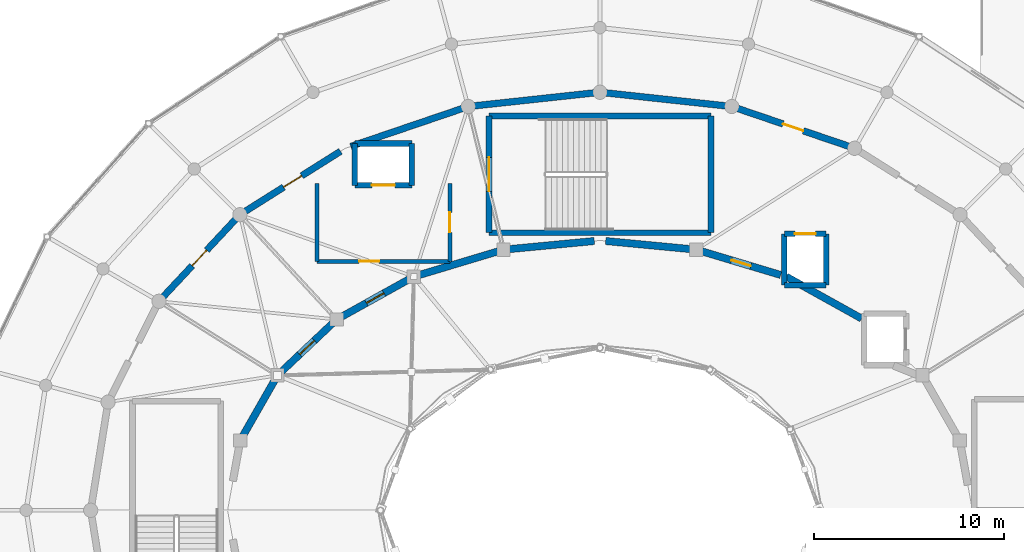
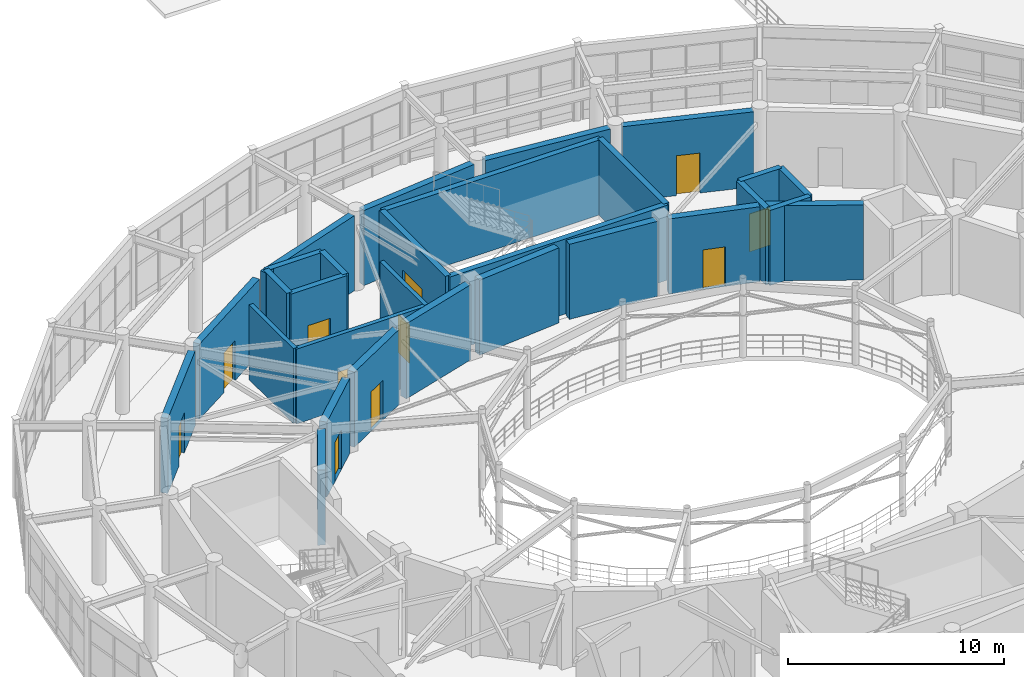
# One storey, part 41 of 60: 29 walls, 11 doors, 11 openings.
"""IFC4 building model written with IfcOpenShell, lengths in metres."""

import ifcopenshell
import ifcopenshell.guid

model = None  # the IFC model being written
_history = None  # IfcOwnerHistory: only IFC2X3 demands one
_inside = {}  # id of a spatial element -> (the spatial element, [elements in it])
_under = {}  # id of a project, library or spatial element -> (it, [spatial elements below it])
_declared = {}  # id of a project -> (the project, [libraries it declares])
_typed = {}  # id of a type object -> (the type object, [elements of that type])
_made_of = {}  # id of a material, layer set ... -> (it, [elements and type objects made of it])


def new_model(schema):
    """Start an empty IFC model of exactly this schema.

    Asked for "IFC4X3", IfcOpenShell would pick the latest addendum, in which some entities
    have other attributes; the version numbers below select the first issue.
    IFC2X3 requires an IfcOwnerHistory on every rooted entity: one is made here for all.
    """
    global model, _history
    if schema == "IFC4X3":
        model = ifcopenshell.file(schema_version=(4, 3, 0, 0))
    else:
        model = ifcopenshell.file(schema=schema)
    _inside.clear()
    _under.clear()
    _declared.clear()
    _typed.clear()
    _made_of.clear()
    _history = None
    if model.schema == "IFC2X3":
        org = make("IfcOrganization", Name="unknown")
        user = make(
            "IfcPersonAndOrganization",
            ThePerson=make("IfcPerson", FamilyName="unknown"),
            TheOrganization=org,
        )
        app = make(
            "IfcApplication",
            ApplicationDeveloper=org,
            Version="unknown",
            ApplicationFullName="unknown",
            ApplicationIdentifier="unknown",
        )
        _history = make(
            "IfcOwnerHistory",
            OwningUser=user,
            OwningApplication=app,
            ChangeAction="ADDED",
            CreationDate=0,
        )
    return model


def make(cls, **values):
    """One entity of the class cls with the attributes given. An attribute that is None is left unset."""
    return model.create_entity(
        cls, **{name: value for name, value in values.items() if value is not None}
    )


def rooted(cls, **values):
    """An entity with a GlobalId (a new one), such as an element, a storey or a relation."""
    return make(cls, GlobalId=ifcopenshell.guid.new(), OwnerHistory=_history, **values)


def si_unit(unit_type, name, prefix=None):
    """IfcSIUnit, for example si_unit("LENGTHUNIT", "METRE", prefix="MILLI")."""
    return make("IfcSIUnit", UnitType=unit_type, Prefix=prefix, Name=name)


def assignment(units):
    """IfcUnitAssignment: the units of a project."""
    return None if units is None else make("IfcUnitAssignment", Units=units)


def point(xyz):
    """IfcCartesianPoint."""
    return None if xyz is None else make("IfcCartesianPoint", Coordinates=xyz)


def direction(xyz):
    """IfcDirection."""
    return None if xyz is None else make("IfcDirection", DirectionRatios=xyz)


def frame(location, z_axis=None, x_axis=None):
    """IfcAxis2Placement3D, a coordinate frame: its origin and axes. An axis left out is left unset."""
    return make(
        "IfcAxis2Placement3D",
        Location=point(location),
        Axis=direction(z_axis),
        RefDirection=direction(x_axis),
    )


def frame_2d(location, x_axis=None):
    """IfcAxis2Placement2D, a coordinate frame in the plane: its origin and x axis."""
    return make(
        "IfcAxis2Placement2D", Location=point(location), RefDirection=direction(x_axis)
    )


def origin():
    """The frame at (0, 0, 0) with its axes left unset."""
    return frame((0.0, 0.0, 0.0))


def place(relative_to, where):
    """IfcLocalPlacement: puts the frame where relative to a parent placement (None: the world)."""
    return make(
        "IfcLocalPlacement", PlacementRelTo=relative_to, RelativePlacement=where
    )


def context(
    kind, dimensions, precision=None, world=None, true_north=None, identifier=None
):
    """IfcGeometricRepresentationContext, for example the 3D "Model" context."""
    return make(
        "IfcGeometricRepresentationContext",
        ContextIdentifier=identifier,
        ContextType=kind,
        CoordinateSpaceDimension=dimensions,
        Precision=precision,
        WorldCoordinateSystem=world,
        TrueNorth=true_north,
    )


def subcontext(parent, identifier, kind, view, scale=None):
    """IfcGeometricRepresentationSubContext, for example "Body" below "Model"."""
    return make(
        "IfcGeometricRepresentationSubContext",
        ContextIdentifier=identifier,
        ContextType=kind,
        ParentContext=parent,
        TargetScale=scale,
        TargetView=view,
    )


def project(units=None, contexts=None):
    """IfcProject with its units and contexts."""
    return rooted(
        "IfcProject",
        Name="project",
        RepresentationContexts=contexts,
        UnitsInContext=assignment(units),
    )


def spatial(cls, under=None, at=None, **own):
    """A site, building, storey or space (cls), placed at a placement, below another one or the project."""
    s = rooted(cls, ObjectPlacement=at, **own)
    if under is not None:
        _under.setdefault(under.id(), (under, []))[1].append(s)
    return s


def profile(cls, at=None, kind="AREA", **sizes):
    """A parametric profile (cls). Its sizes go by their IFC names, for example OverallWidth=200.0."""
    return make(cls, ProfileType=kind, Position=at, **sizes)


def rectangle(**sizes):
    """IfcRectangleProfileDef."""
    return profile("IfcRectangleProfileDef", **sizes)


def extrude(swept, where, along, depth):
    """IfcExtrudedAreaSolid: the profile swept, set in the frame where, extruded along a direction by depth."""
    return make(
        "IfcExtrudedAreaSolid",
        SweptArea=swept,
        Position=where,
        ExtrudedDirection=direction(along),
        Depth=depth,
    )


def shape(context_of_items, identifier, shape_type, items):
    """IfcShapeRepresentation: the items that make up one representation, for example the "Body"."""
    return make(
        "IfcShapeRepresentation",
        ContextOfItems=context_of_items,
        RepresentationIdentifier=identifier,
        RepresentationType=shape_type,
        Items=items,
    )


def material(Name=None, Category=None):
    """IfcMaterial."""
    return make("IfcMaterial", Name=Name, Category=Category)


def layer(
    of_material, thickness, ventilated=None, Name=None, Category=None, Priority=None
):
    """IfcMaterialLayer: one layer of a wall or slab, of a material (None: an air gap)."""
    return make(
        "IfcMaterialLayer",
        Material=of_material,
        LayerThickness=thickness,
        IsVentilated=ventilated,
        Name=Name,
        Category=Category,
        Priority=Priority,
    )


def layer_set(layers, Name=None):
    """IfcMaterialLayerSet."""
    return make("IfcMaterialLayerSet", MaterialLayers=layers, LayerSetName=Name)


def made_of(thing, what):
    """Note that an element or type object is made of a material, layer set ...; save() writes the relation."""
    if what is not None:
        _made_of.setdefault(what.id(), (what, []))[1].append(thing)
    return thing


def type_object(cls, material=None, **own):
    """A type object (cls), such as IfcWallType, which elements share."""
    return made_of(rooted(cls, **own), material)


def element(
    cls,
    number,
    at=None,
    inside=None,
    cuts=None,
    type_object=None,
    material=None,
    context=None,
    identifier="Body",
    shape_type=None,
    held_by="IfcProductDefinitionShape",
    body=None,
    shapes=None,
    **own,
):
    """One element of the class cls, such as IfcWall. Its Tag is "e" and its number.

    at: its placement. inside: the storey or other place that contains it. cuts: it is an
    opening in that element (IfcRelVoidsElement). A single representation is given by context,
    identifier, shape_type and body (its items); several are given by shapes. held_by: the class
    of the entity that holds the representations. save() writes the other relations.
    """
    e = rooted(cls, Tag="e%d" % number, ObjectPlacement=at, **own)
    if body is not None:
        shapes = [shape(context, identifier, shape_type, body)]
    if shapes is not None:
        e.Representation = make(held_by, Representations=shapes)
    if inside is not None:
        _inside.setdefault(inside.id(), (inside, []))[1].append(e)
    if cuts is not None:
        rooted(
            "IfcRelVoidsElement", RelatingBuildingElement=cuts, RelatedOpeningElement=e
        )
    if type_object is not None:
        _typed.setdefault(type_object.id(), (type_object, []))[1].append(e)
    return made_of(e, material)


def fill(opening, filler):
    """IfcRelFillsElement: the door or window that sits in an opening."""
    return rooted(
        "IfcRelFillsElement",
        RelatingOpeningElement=opening,
        RelatedBuildingElement=filler,
    )


def aggregate(whole, parts):
    """IfcRelAggregates: a whole, such as a stair, and the parts it consists of."""
    return rooted("IfcRelAggregates", RelatingObject=whole, RelatedObjects=parts)


def save(model, path):
    """Write the relations noted so far, then the file.

    IfcRelAggregates (storeys below a building ...), IfcRelContainedInSpatialStructure (elements
    in a storey), IfcRelDefinesByType, IfcRelAssociatesMaterial and IfcRelDeclares: one each for
    every whole, place, type object, material and project.
    """
    for whole, parts in _under.values():
        aggregate(whole, parts)
    for where, things in _inside.values():
        rooted(
            "IfcRelContainedInSpatialStructure",
            RelatedElements=things,
            RelatingStructure=where,
        )
    for kind, things in _typed.values():
        rooted("IfcRelDefinesByType", RelatedObjects=things, RelatingType=kind)
    for what, things in _made_of.values():
        rooted("IfcRelAssociatesMaterial", RelatedObjects=things, RelatingMaterial=what)
    for by, libraries in _declared.values():
        rooted("IfcRelDeclares", RelatingContext=by, RelatedDefinitions=libraries)
    model.write(path)


model = new_model("IFC4")

# Units and contexts
model_context = context("Model", 3, precision=1e-05, world=origin(), true_north=direction((0.0, 1.0)))
body_context = subcontext(model_context, "Body", "Model", "MODEL_VIEW")
ifc_project = project(units=[si_unit("LENGTHUNIT", "METRE"), si_unit("AREAUNIT", "SQUARE_METRE"), si_unit("VOLUMEUNIT", "CUBIC_METRE"), si_unit("PLANEANGLEUNIT", "RADIAN"), si_unit("MASSUNIT", "GRAM", prefix="KILO")], contexts=[model_context])

# Site, building, storey
site_placement = place(None, origin())
site = spatial("IfcSite", under=ifc_project, at=site_placement, CompositionType="ELEMENT")
building_placement = place(site_placement, origin())
building = spatial("IfcBuilding", under=site, at=building_placement, Name="Cinderbank Siding Concert Hall", CompositionType="ELEMENT")
storey_placement = place(building_placement, frame((0.0, 0.0, 14.699951171875)))
storey = spatial("IfcBuildingStorey", under=building, at=storey_placement, Name="L04", CompositionType="ELEMENT", Elevation=14.699951171875)

# Wall
ifc_material_1 = material(Name="Reinforced concrete AS 3600 N50 (50 MPa)", Category="concrete")
ifc_layer_1 = layer(ifc_material_1, 0.3798828125)
ifc_layer_set_1 = layer_set([ifc_layer_1], Name="Reinforced concrete AS 3600 N50 (50 MPa)")
wall_type_1 = type_object("IfcWallType", Name="WL-01 Structural Wall 380mm", PredefinedType="SOLIDWALL", material=ifc_layer_set_1)
wall_1_placement = place(storey_placement, frame((135.77197265625, 54.089599609375, 0.0), z_axis=(0.0, 0.0, 1.0), x_axis=(-0.874028004615, 0.485875546975, 0.0)))
element("IfcWall", 1, at=wall_1_placement, inside=storey, type_object=wall_type_1, Name="L04 Structural Wall SW-E1-L04-04", PredefinedType="SOLIDWALL", context=body_context, shape_type="SweptSolid", body=[
    extrude(rectangle(XDim=4.54443359375, YDim=0.3798828125, at=frame_2d((2.272216796875, 0.0))), origin(), (0.0, 0.0, 1.0), 4.25),
])

# Wall, opening, door
wall_2_placement = place(storey_placement, frame((131.5126953125, 56.3837890625, 0.0), z_axis=(0.0, 0.0, 1.0), x_axis=(-0.957796933165, 0.287445707604, 0.0)))
wall_2 = element("IfcWall", 2, at=wall_2_placement, inside=storey, type_object=wall_type_1, Name="L04 Structural Wall SW-E1-L04-05", PredefinedType="SOLIDWALL", context=body_context, shape_type="SweptSolid", body=[
    extrude(rectangle(XDim=4.350341796875, YDim=0.3798828125, at=frame_2d((2.17529296875, 0.0))), origin(), (0.0, 0.0, 1.0), 4.25),
])
opening_1_placement = place(wall_2_placement, frame((1.645263671875, 0.0, 0.0)))
opening_1 = element("IfcOpeningElement", 3, at=opening_1_placement, cuts=wall_2, Name="Opening D-18", PredefinedType="OPENING", context=body_context, shape_type="SweptSolid", body=[
    extrude(rectangle(XDim=1.06005859375, YDim=2.239990234375, at=frame_2d((0.530029296875, 1.1201171875))), frame((0.0, 0.201904296875, 0.0), z_axis=(0.0, -1.0, 0.0), x_axis=(1.0, 0.0, 0.0)), (0.0, 0.0, 1.0), 0.40380859375),
])
ifc_material_2 = material(Name="Solid-core spotted gum acoustic timber", Category="wood")
door_type_1 = type_object("IfcDoorType", Name="D-18 Interior Door 1060x2240", OperationType="NOTDEFINED", PredefinedType="DOOR", material=ifc_material_2)
door_1_placement = place(opening_1_placement, origin())
door_1 = element("IfcDoor", 4, at=door_1_placement, inside=storey, type_object=door_type_1, Name="L04 Auditorium Sound-Lock Door L04-D153", OperationType="SINGLE_SWING_RIGHT", OverallHeight=2.239990234375, OverallWidth=1.06005859375, PredefinedType="DOOR", context=body_context, shape_type="SweptSolid", body=[
    extrude(rectangle(XDim=1.06005859375, YDim=2.239990234375, at=frame_2d((0.530029296875, 1.1201171875))), frame((0.0, 0.02490234375, 0.0), z_axis=(0.0, -1.0, 0.0), x_axis=(1.0, 0.0, 0.0)), (0.0, 0.0, 1.0), 0.050048828125),
])
fill(opening_1, door_1)

# Walls
for number, where, z_axis, x_axis, name in (
    (5, (126.789306640625, 57.7431640625, 0.0), (0.0, 0.0, 1.0), (-0.995484276796, 0.094926575052, 0.0), "L04 Structural Wall SW-E1-L04-06"),
    (6, (121.701416015625, 58.17138671875, 0.0), (0.0, 0.0, 1.0), (-0.995484276796, -0.094926575052, 0.0), "L04 Structural Wall SW-E1-L04-07"),
):
    element("IfcWall", number, at=place(storey_placement, frame(where, z_axis=z_axis, x_axis=x_axis)), inside=storey, type_object=wall_type_1, Name=name, PredefinedType="SOLIDWALL", context=body_context, shape_type="SweptSolid", body=[
        extrude(rectangle(XDim=4.510986328125, YDim=0.3798828125, at=frame_2d((2.25537109375, 0.0))), origin(), (0.0, 0.0, 1.0), 4.25),
    ])
wall_3_placement = place(storey_placement, frame((116.654052734375, 57.63427734375, 0.0), z_axis=(0.0, 0.0, 1.0), x_axis=(-0.957792414988, -0.287460762177, 0.0)))
element("IfcWall", 7, at=wall_3_placement, inside=storey, type_object=wall_type_1, Name="L04 Structural Wall SW-E1-L04-08", PredefinedType="SOLIDWALL", context=body_context, shape_type="SweptSolid", body=[
    extrude(rectangle(XDim=4.365478515625, YDim=0.3798828125, at=frame_2d((2.1826171875, 0.0))), origin(), (0.0, 0.0, 1.0), 4.25),
])

# Wall, opening, door
wall_4_placement = place(storey_placement, frame((111.950927734375, 56.1591796875, 0.0), z_axis=(0.0, 0.0, 1.0), x_axis=(-0.87401308715, -0.485902380618, 0.0)))
wall_4 = element("IfcWall", 8, at=wall_4_placement, inside=storey, type_object=wall_type_1, Name="L04 Structural Wall SW-E1-L04-09", PredefinedType="SOLIDWALL", context=body_context, shape_type="SweptSolid", body=[
    extrude(rectangle(XDim=4.074462890625, YDim=0.3798828125, at=frame_2d((2.037109375, 0.0))), origin(), (0.0, 0.0, 1.0), 4.25),
])
opening_2_placement = place(wall_4_placement, frame((1.507080078125, 0.0, 0.0)))
opening_2 = element("IfcOpeningElement", 9, at=opening_2_placement, cuts=wall_4, Name="Opening D-18", PredefinedType="OPENING", context=body_context, shape_type="SweptSolid", body=[
    extrude(rectangle(XDim=1.06005859375, YDim=2.239990234375, at=frame_2d((0.530029296875, 1.1201171875))), frame((0.0, 0.201904296875, 0.0), z_axis=(0.0, -1.0, 0.0), x_axis=(1.0, 0.0, 0.0)), (0.0, 0.0, 1.0), 0.40380859375),
])
door_2_placement = place(opening_2_placement, origin())
door_2 = element("IfcDoor", 10, at=door_2_placement, inside=storey, type_object=door_type_1, Name="L04 Auditorium Sound-Lock Door L04-D154", OperationType="SINGLE_SWING_LEFT", OverallHeight=2.239990234375, OverallWidth=1.06005859375, PredefinedType="DOOR", context=body_context, shape_type="SweptSolid", body=[
    extrude(rectangle(XDim=1.06005859375, YDim=2.239990234375, at=frame_2d((0.530029296875, 1.1201171875))), frame((0.0, 0.02490234375, 0.0), z_axis=(0.0, -1.0, 0.0), x_axis=(1.0, 0.0, 0.0)), (0.0, 0.0, 1.0), 0.050048828125),
])
fill(opening_2, door_2)

wall_5_placement = place(storey_placement, frame((107.93359375, 53.84521484375, 0.0), z_axis=(0.0, 0.0, 1.0), x_axis=(-0.727127996206, -0.686501913423, 0.0)))
wall_5 = element("IfcWall", 11, at=wall_5_placement, inside=storey, type_object=wall_type_1, Name="L04 Structural Wall SW-E1-L04-10", PredefinedType="SOLIDWALL", context=body_context, shape_type="SweptSolid", body=[
    extrude(rectangle(XDim=3.7138671875, YDim=0.3798828125, at=frame_2d((1.85693359375, 0.0))), origin(), (0.0, 0.0, 1.0), 4.25),
])
opening_3_placement = place(wall_5_placement, frame((1.326904296875, 0.0, 0.0)))
opening_3 = element("IfcOpeningElement", 12, at=opening_3_placement, cuts=wall_5, Name="Opening D-18", PredefinedType="OPENING", context=body_context, shape_type="SweptSolid", body=[
    extrude(rectangle(XDim=1.06005859375, YDim=2.239990234375, at=frame_2d((0.530029296875, 1.1201171875))), frame((0.0, 0.201904296875, 0.0), z_axis=(0.0, -1.0, 0.0), x_axis=(1.0, 0.0, 0.0)), (0.0, 0.0, 1.0), 0.40380859375),
])
door_3_placement = place(opening_3_placement, origin())
door_3 = element("IfcDoor", 13, at=door_3_placement, inside=storey, type_object=door_type_1, Name="L04 Auditorium Sound-Lock Door L04-D155", OperationType="SINGLE_SWING_RIGHT", OverallHeight=2.239990234375, OverallWidth=1.06005859375, PredefinedType="DOOR", context=body_context, shape_type="SweptSolid", body=[
    extrude(rectangle(XDim=1.06005859375, YDim=2.239990234375, at=frame_2d((0.530029296875, 1.1201171875))), frame((0.0, 0.02490234375, 0.0), z_axis=(0.0, -1.0, 0.0), x_axis=(1.0, 0.0, 0.0)), (0.0, 0.0, 1.0), 0.050048828125),
])
fill(opening_3, door_3)

# Wall
wall_6_placement = place(storey_placement, frame((104.884521484375, 50.8525390625, 0.0), z_axis=(0.0, 0.0, 1.0), x_axis=(-0.496318106012, -0.868140736082, 0.0)))
element("IfcWall", 14, at=wall_6_placement, inside=storey, type_object=wall_type_1, Name="L04 Structural Wall SW-E1-L04-11", PredefinedType="SOLIDWALL", context=body_context, shape_type="SweptSolid", body=[
    extrude(rectangle(XDim=3.375, YDim=0.3798828125, at=frame_2d((1.6875, 0.0))), origin(), (0.0, 0.0, 1.0), 4.25),
])

# Wall, opening, door
ifc_layer_2 = layer(ifc_material_1, 0.35009765625)
ifc_layer_set_2 = layer_set([ifc_layer_2], Name="Reinforced concrete AS 3600 N50 (50 MPa)")
wall_type_2 = type_object("IfcWallType", Name="WL-02 Structural Wall 350mm", PredefinedType="SHEAR", material=ifc_layer_set_2)
wall_7_placement = place(storey_placement, frame((135.1064453125, 63.15234375, 0.0), z_axis=(0.0, 0.0, 1.0), x_axis=(-0.946758358714, 0.321945042213, 0.0)))
wall_7 = element("IfcWall", 15, at=wall_7_placement, inside=storey, type_object=wall_type_2, Name="L04 Structural Wall SW-E2-L04-05", PredefinedType="SHEAR", context=body_context, shape_type="SweptSolid", body=[
    extrude(rectangle(XDim=6.20703125, YDim=0.35009765625, at=frame_2d((3.103515625, 0.0))), origin(), (0.0, 0.0, 1.0), 4.25),
])
opening_4_placement = place(wall_7_placement, frame((2.54345703125, 0.0, 0.0)))
opening_4 = element("IfcOpeningElement", 16, at=opening_4_placement, cuts=wall_7, Name="Opening D-19", PredefinedType="OPENING", context=body_context, shape_type="SweptSolid", body=[
    extrude(rectangle(XDim=1.1201171875, YDim=2.260009765625, at=frame_2d((0.56005859375, 1.1298828125))), frame((0.0, 0.18701171875, 0.0), z_axis=(0.0, -1.0, 0.0), x_axis=(1.0, 0.0, 0.0)), (0.0, 0.0, 1.0), 0.3740234375),
])
door_type_2 = type_object("IfcDoorType", Name="D-19 Interior Door 1120x2260", OperationType="NOTDEFINED", PredefinedType="DOOR", material=ifc_material_2)
door_4_placement = place(opening_4_placement, origin())
door_4 = element("IfcDoor", 17, at=door_4_placement, inside=storey, type_object=door_type_2, Name="L04 Auditorium Sound-Lock Door L04-D162", OperationType="SINGLE_SWING_LEFT", OverallHeight=2.260009765625, OverallWidth=1.1201171875, PredefinedType="DOOR", context=body_context, shape_type="SweptSolid", body=[
    extrude(rectangle(XDim=1.1201171875, YDim=2.260009765625, at=frame_2d((0.56005859375, 1.1298828125))), frame((0.0, 0.02490234375, 0.0), z_axis=(0.0, -1.0, 0.0), x_axis=(1.0, 0.0, 0.0)), (0.0, 0.0, 1.0), 0.050048828125),
])
fill(opening_4, door_4)

# Walls
for number, where, z_axis, x_axis, name in (
    (18, (128.628173828125, 65.28369140625, 0.0), (0.0, 0.0, 1.0), (-0.99420948753, 0.107459270912, 0.0), "L04 Structural Wall SW-E2-L04-06"),
    (19, (121.69189453125, 65.966796875, 0.0), (0.0, 0.0, 1.0), (-0.99420948753, -0.107459270912, 0.0), "L04 Structural Wall SW-E2-L04-07"),
):
    element("IfcWall", number, at=place(storey_placement, frame(where, z_axis=z_axis, x_axis=x_axis)), inside=storey, type_object=wall_type_2, Name=name, PredefinedType="SHEAR", context=body_context, shape_type="SweptSolid", body=[
        extrude(rectangle(XDim=6.35693359375, YDim=0.35009765625, at=frame_2d((3.178466796875, 0.0))), origin(), (0.0, 0.0, 1.0), 4.25),
    ])
wall_8_placement = place(storey_placement, frame((114.77001953125, 65.150634765625, 0.0), z_axis=(0.0, 0.0, 1.0), x_axis=(-0.946761494057, -0.321935821821, 0.0)))
element("IfcWall", 20, at=wall_8_placement, inside=storey, type_object=wall_type_2, Name="L04 Structural Wall SW-E2-L04-08", PredefinedType="SHEAR", context=body_context, shape_type="SweptSolid", body=[
    extrude(rectangle(XDim=6.217041015625, YDim=0.35009765625, at=frame_2d((3.1083984375, 0.0))), origin(), (0.0, 0.0, 1.0), 4.25),
])

# Wall, opening, door
wall_9_placement = place(storey_placement, frame((108.34619140625, 62.892578125, 0.0), z_axis=(0.0, 0.0, 1.0), x_axis=(-0.846132783073, -0.532972150688, 0.0)))
wall_9 = element("IfcWall", 21, at=wall_9_placement, inside=storey, type_object=wall_type_2, Name="L04 Structural Wall SW-E2-L04-09", PredefinedType="SHEAR", context=body_context, shape_type="SweptSolid", body=[
    extrude(rectangle(XDim=5.949951171875, YDim=0.35009765625, at=frame_2d((2.97509765625, 0.0))), origin(), (0.0, 0.0, 1.0), 4.25),
])
opening_5_placement = place(wall_9_placement, frame((2.4150390625, 0.0, 0.0)))
opening_5 = element("IfcOpeningElement", 22, at=opening_5_placement, cuts=wall_9, Name="Opening D-19", PredefinedType="OPENING", context=body_context, shape_type="SweptSolid", body=[
    extrude(rectangle(XDim=1.1201171875, YDim=2.260009765625, at=frame_2d((0.56005859375, 1.1298828125))), frame((0.0, 0.18701171875, 0.0), z_axis=(0.0, -1.0, 0.0), x_axis=(1.0, 0.0, 0.0)), (0.0, 0.0, 1.0), 0.3740234375),
])
door_5_placement = place(opening_5_placement, origin())
door_5 = element("IfcDoor", 23, at=door_5_placement, inside=storey, type_object=door_type_2, Name="L04 Auditorium Sound-Lock Door L04-D163", OperationType="SINGLE_SWING_RIGHT", OverallHeight=2.260009765625, OverallWidth=1.1201171875, PredefinedType="DOOR", context=body_context, shape_type="SweptSolid", body=[
    extrude(rectangle(XDim=1.1201171875, YDim=2.260009765625, at=frame_2d((0.56005859375, 1.1298828125))), frame((0.0, 0.02490234375, 0.0), z_axis=(0.0, -1.0, 0.0), x_axis=(1.0, 0.0, 0.0)), (0.0, 0.0, 1.0), 0.050048828125),
])
fill(opening_5, door_5)

wall_10_placement = place(storey_placement, frame((102.837890625, 59.329833984375, 0.0), z_axis=(0.0, 0.0, 1.0), x_axis=(-0.682886399388, -0.730524582427, 0.0)))
wall_10 = element("IfcWall", 24, at=wall_10_placement, inside=storey, type_object=wall_type_2, Name="L04 Structural Wall SW-E2-L04-10", PredefinedType="SHEAR", context=body_context, shape_type="SweptSolid", body=[
    extrude(rectangle(XDim=5.616943359375, YDim=0.35009765625, at=frame_2d((2.80859375, 0.0))), origin(), (0.0, 0.0, 1.0), 4.25),
])
opening_6_placement = place(wall_10_placement, frame((2.248291015625, 0.0, 0.0)))
opening_6 = element("IfcOpeningElement", 25, at=opening_6_placement, cuts=wall_10, Name="Opening D-19", PredefinedType="OPENING", context=body_context, shape_type="SweptSolid", body=[
    extrude(rectangle(XDim=1.1201171875, YDim=2.260009765625, at=frame_2d((0.56005859375, 1.1298828125))), frame((0.0, 0.18701171875, 0.0), z_axis=(0.0, -1.0, 0.0), x_axis=(1.0, 0.0, 0.0)), (0.0, 0.0, 1.0), 0.3740234375),
])
door_6_placement = place(opening_6_placement, origin())
door_6 = element("IfcDoor", 26, at=door_6_placement, inside=storey, type_object=door_type_2, Name="L04 Auditorium Sound-Lock Door L04-D164", OperationType="SINGLE_SWING_LEFT", OverallHeight=2.260009765625, OverallWidth=1.1201171875, PredefinedType="DOOR", context=body_context, shape_type="SweptSolid", body=[
    extrude(rectangle(XDim=1.1201171875, YDim=2.260009765625, at=frame_2d((0.56005859375, 1.1298828125))), frame((0.0, 0.02490234375, 0.0), z_axis=(0.0, -1.0, 0.0), x_axis=(1.0, 0.0, 0.0)), (0.0, 0.0, 1.0), 0.050048828125),
])
fill(opening_6, door_6)

ifc_layer_3 = layer(ifc_material_1, 0.300048828125)
ifc_layer_set_3 = layer_set([ifc_layer_3], Name="Reinforced concrete AS 3600 N50 (50 MPa)")
wall_type_3 = type_object("IfcWallType", Name="WL-03 Structural Wall 300mm", PredefinedType="SHEAR", material=ifc_layer_set_3)
wall_11_placement = place(storey_placement, frame((116.159912109375, 58.610107421875, 0.0), z_axis=(0.0, 0.0, 1.0), x_axis=(0.0, 1.0, 0.0)))
wall_11 = element("IfcWall", 27, at=wall_11_placement, inside=storey, type_object=wall_type_3, Name="L04 ST-01 Core Wall ENTRY", PredefinedType="SHEAR", context=body_context, shape_type="SweptSolid", body=[
    extrude(rectangle(XDim=6.139892578125, YDim=0.300048828125, at=frame_2d((3.06982421875, 0.0))), origin(), (0.0, 0.0, 1.0), 4.25),
])
opening_7_placement = place(wall_11_placement, frame((2.169921875, 0.0, 0.0)))
opening_7 = element("IfcOpeningElement", 28, at=opening_7_placement, cuts=wall_11, Name="Opening D-05", PredefinedType="OPENING", context=body_context, shape_type="SweptSolid", body=[
    extrude(rectangle(XDim=1.800048828125, YDim=2.199951171875, at=frame_2d((0.89990234375, 1.10009765625))), frame((0.0, 0.162109375, 0.0), z_axis=(0.0, -1.0, 0.0), x_axis=(1.0, 0.0, 0.0)), (0.0, 0.0, 1.0), 0.323974609375),
])
ifc_material_3 = material(Name="Galvanised sheet steel acoustic fire door assembly", Category="steel")
door_type_3 = type_object("IfcDoorType", Name="D-05 Interior Door 1800x2200", OperationType="DOUBLE_DOOR_SINGLE_SWING", PredefinedType="DOOR", material=ifc_material_3)
door_7_placement = place(opening_7_placement, origin())
door_7 = element("IfcDoor", 29, at=door_7_placement, inside=storey, type_object=door_type_3, Name="L04 ST-01 Fire Stair Door L04-D005", OperationType="DOUBLE_DOOR_SINGLE_SWING", OverallHeight=2.199951171875, OverallWidth=1.800048828125, PredefinedType="DOOR", context=body_context, shape_type="SweptSolid", body=[
    extrude(rectangle(XDim=1.800048828125, YDim=2.199951171875, at=frame_2d((0.89990234375, 1.10009765625))), frame((0.0, 0.02490234375, 0.0), z_axis=(0.0, -1.0, 0.0), x_axis=(1.0, 0.0, 0.0)), (0.0, 0.0, 1.0), 0.050048828125),
])
fill(opening_7, door_7)

# Walls
wall_12_placement = place(storey_placement, frame((127.840087890625, 64.75, 0.0), z_axis=(0.0, 0.0, 1.0), x_axis=(0.0, -1.0, 0.0)))
element("IfcWall", 30, at=wall_12_placement, inside=storey, type_object=wall_type_3, Name="L04 ST-01 Core Wall FAR", PredefinedType="SHEAR", context=body_context, shape_type="SweptSolid", body=[
    extrude(rectangle(XDim=6.139892578125, YDim=0.300048828125, at=frame_2d((3.06982421875, 0.0))), origin(), (0.0, 0.0, 1.0), 4.25),
])
for number, where, z_axis, x_axis, name in (
    (31, (127.840087890625, 58.610107421875, 0.0), (0.0, 0.0, 1.0), (-1.0, 0.0, 0.0), "L04 ST-01 Core Wall SIDE1"),
    (32, (116.159912109375, 64.75, 0.0), (0.0, 0.0, 1.0), (1.0, 0.0, 0.0), "L04 ST-01 Core Wall SIDE2"),
):
    element("IfcWall", number, at=place(storey_placement, frame(where, z_axis=z_axis, x_axis=x_axis)), inside=storey, type_object=wall_type_3, Name=name, PredefinedType="SHEAR", context=body_context, shape_type="SweptSolid", body=[
        extrude(rectangle(XDim=11.68017578125, YDim=0.300048828125, at=frame_2d((5.840087890625, 0.0))), origin(), (0.0, 0.0, 1.0), 4.25),
    ])
wall_13_placement = place(storey_placement, frame((133.89990234375, 55.85009765625, 0.0), z_axis=(0.0, 0.0, 1.0), x_axis=(-1.0, 0.0, 0.0)))
element("IfcWall", 33, at=wall_13_placement, inside=storey, type_object=wall_type_3, Name="L04 LF-01 Shaft Wall -Y", PredefinedType="SHEAR", context=body_context, shape_type="SweptSolid", body=[
    extrude(rectangle(XDim=2.199951171875, YDim=0.300048828125, at=frame_2d((1.10009765625, 0.0))), origin(), (0.0, 0.0, 1.0), 4.25),
])
wall_14_placement = place(storey_placement, frame((133.89990234375, 58.550048828125, 0.0), z_axis=(0.0, 0.0, 1.0), x_axis=(0.0, -1.0, 0.0)))
element("IfcWall", 34, at=wall_14_placement, inside=storey, type_object=wall_type_3, Name="L04 LF-01 Shaft Wall +X", PredefinedType="SHEAR", context=body_context, shape_type="SweptSolid", body=[
    extrude(rectangle(XDim=2.699951171875, YDim=0.300048828125, at=frame_2d((1.35009765625, 0.0))), origin(), (0.0, 0.0, 1.0), 4.25),
])

# Wall, opening, door
wall_15_placement = place(storey_placement, frame((131.699951171875, 58.550048828125, 0.0), z_axis=(0.0, 0.0, 1.0), x_axis=(1.0, 0.0, 0.0)))
wall_15 = element("IfcWall", 35, at=wall_15_placement, inside=storey, type_object=wall_type_3, Name="L04 LF-01 Shaft Wall +Y", PredefinedType="SHEAR", context=body_context, shape_type="SweptSolid", body=[
    extrude(rectangle(XDim=2.199951171875, YDim=0.300048828125, at=frame_2d((1.10009765625, 0.0))), origin(), (0.0, 0.0, 1.0), 4.25),
])
opening_8_placement = place(wall_15_placement, frame((0.550048828125, 0.0, 0.0)))
opening_8 = element("IfcOpeningElement", 36, at=opening_8_placement, cuts=wall_15, Name="Opening LD-01", PredefinedType="OPENING", context=body_context, shape_type="SweptSolid", body=[
    extrude(rectangle(XDim=1.10009765625, YDim=2.14990234375, at=frame_2d((0.550048828125, 1.074951171875))), frame((0.0, 0.162109375, 0.0), z_axis=(0.0, -1.0, 0.0), x_axis=(1.0, 0.0, 0.0)), (0.0, 0.0, 1.0), 0.323974609375),
])
door_type_4 = type_object("IfcDoorType", Name="LD-01 Interior Door 1100x2150", OperationType="DOUBLE_DOOR_SLIDING", PredefinedType="DOOR", material=ifc_material_3)
door_8_placement = place(opening_8_placement, origin())
door_8 = element("IfcDoor", 37, at=door_8_placement, inside=storey, type_object=door_type_4, Name="L04 LF-01 Sliding Landing Door", OperationType="DOUBLE_DOOR_SLIDING", OverallHeight=2.14990234375, OverallWidth=1.10009765625, PredefinedType="DOOR", context=body_context, shape_type="SweptSolid", body=[
    extrude(rectangle(XDim=1.10009765625, YDim=2.14990234375, at=frame_2d((0.550048828125, 1.074951171875))), frame((0.0, 0.02490234375, 0.0), z_axis=(0.0, -1.0, 0.0), x_axis=(1.0, 0.0, 0.0)), (0.0, 0.0, 1.0), 0.050048828125),
])
fill(opening_8, door_8)

# Wall
wall_16_placement = place(storey_placement, frame((131.699951171875, 55.85009765625, 0.0), z_axis=(0.0, 0.0, 1.0), x_axis=(0.0, 1.0, 0.0)))
element("IfcWall", 38, at=wall_16_placement, inside=storey, type_object=wall_type_3, Name="L04 LF-01 Shaft Wall -X", PredefinedType="SHEAR", context=body_context, shape_type="SweptSolid", body=[
    extrude(rectangle(XDim=2.699951171875, YDim=0.300048828125, at=frame_2d((1.35009765625, 0.0))), origin(), (0.0, 0.0, 1.0), 4.25),
])

# Wall, opening, door
wall_17_placement = place(storey_placement, frame((112.10009765625, 61.10009765625, 0.0), z_axis=(0.0, 0.0, 1.0), x_axis=(-1.0, 0.0, 0.0)))
wall_17 = element("IfcWall", 39, at=wall_17_placement, inside=storey, type_object=wall_type_3, Name="L04 LF-04 Shaft Wall -Y", PredefinedType="SHEAR", context=body_context, shape_type="SweptSolid", body=[
    extrude(rectangle(XDim=3.0, YDim=0.300048828125, at=frame_2d((1.5, 0.0))), origin(), (0.0, 0.0, 1.0), 4.25),
])
opening_9_placement = place(wall_17_placement, frame((0.89990234375, 0.0, 0.0)))
opening_9 = element("IfcOpeningElement", 40, at=opening_9_placement, cuts=wall_17, Name="Opening LD-02", PredefinedType="OPENING", context=body_context, shape_type="SweptSolid", body=[
    extrude(rectangle(XDim=1.199951171875, YDim=2.14990234375, at=frame_2d((0.60009765625, 1.074951171875))), frame((0.0, 0.162109375, 0.0), z_axis=(0.0, -1.0, 0.0), x_axis=(1.0, 0.0, 0.0)), (0.0, 0.0, 1.0), 0.323974609375),
])
door_type_5 = type_object("IfcDoorType", Name="LD-02 Interior Door 1200x2150", OperationType="DOUBLE_DOOR_SLIDING", PredefinedType="DOOR", material=ifc_material_3)
door_9_placement = place(opening_9_placement, origin())
door_9 = element("IfcDoor", 41, at=door_9_placement, inside=storey, type_object=door_type_5, Name="L04 LF-04 Sliding Landing Door", OperationType="DOUBLE_DOOR_SLIDING", OverallHeight=2.14990234375, OverallWidth=1.199951171875, PredefinedType="DOOR", context=body_context, shape_type="SweptSolid", body=[
    extrude(rectangle(XDim=1.199951171875, YDim=2.14990234375, at=frame_2d((0.60009765625, 1.074951171875))), frame((0.0, 0.02490234375, 0.0), z_axis=(0.0, -1.0, 0.0), x_axis=(1.0, 0.0, 0.0)), (0.0, 0.0, 1.0), 0.050048828125),
])
fill(opening_9, door_9)

# Walls
wall_18_placement = place(storey_placement, frame((112.10009765625, 63.300048828125, 0.0), z_axis=(0.0, 0.0, 1.0), x_axis=(0.0, -1.0, 0.0)))
element("IfcWall", 42, at=wall_18_placement, inside=storey, type_object=wall_type_3, Name="L04 LF-04 Shaft Wall +X", PredefinedType="SHEAR", context=body_context, shape_type="SweptSolid", body=[
    extrude(rectangle(XDim=2.199951171875, YDim=0.300048828125, at=frame_2d((1.10009765625, 0.0))), origin(), (0.0, 0.0, 1.0), 4.25),
])
wall_19_placement = place(storey_placement, frame((109.10009765625, 63.300048828125, 0.0), z_axis=(0.0, 0.0, 1.0), x_axis=(1.0, 0.0, 0.0)))
element("IfcWall", 43, at=wall_19_placement, inside=storey, type_object=wall_type_3, Name="L04 LF-04 Shaft Wall +Y", PredefinedType="SHEAR", context=body_context, shape_type="SweptSolid", body=[
    extrude(rectangle(XDim=3.0, YDim=0.300048828125, at=frame_2d((1.5, 0.0))), origin(), (0.0, 0.0, 1.0), 4.25),
])
wall_20_placement = place(storey_placement, frame((109.10009765625, 61.10009765625, 0.0), z_axis=(0.0, 0.0, 1.0), x_axis=(0.0, 1.0, 0.0)))
element("IfcWall", 44, at=wall_20_placement, inside=storey, type_object=wall_type_3, Name="L04 LF-04 Shaft Wall -X", PredefinedType="SHEAR", context=body_context, shape_type="SweptSolid", body=[
    extrude(rectangle(XDim=2.199951171875, YDim=0.300048828125, at=frame_2d((1.10009765625, 0.0))), origin(), (0.0, 0.0, 1.0), 4.25),
])

# Wall, opening, door
ifc_layer_4 = layer(ifc_material_1, 0.219970703125)
ifc_layer_set_4 = layer_set([ifc_layer_4], Name="Reinforced concrete AS 3600 N50 (50 MPa)")
wall_type_4 = type_object("IfcWallType", Name="WL-06 Interior Wall 220mm", PredefinedType="SOLIDWALL", material=ifc_layer_set_4)
wall_21_placement = place(storey_placement, frame((114.10009765625, 57.10009765625, 0.0), z_axis=(0.0, 0.0, 1.0), x_axis=(-1.0, 0.0, 0.0)))
wall_21 = element("IfcWall", 45, at=wall_21_placement, inside=storey, type_object=wall_type_4, Name="L04 Firefighting Lobby Wall FFLN-S", PredefinedType="SOLIDWALL", context=body_context, shape_type="SweptSolid", body=[
    extrude(rectangle(XDim=7.0, YDim=0.219970703125, at=frame_2d((3.5, 0.0))), origin(), (0.0, 0.0, 1.0), 4.235107421875),
])
opening_10_placement = place(wall_21_placement, frame((3.72509765625, 0.0, 0.0)))
opening_10 = element("IfcOpeningElement", 46, at=opening_10_placement, cuts=wall_21, Name="Opening D-02", PredefinedType="OPENING", context=body_context, shape_type="SweptSolid", body=[
    extrude(rectangle(XDim=1.050048828125, YDim=2.14990234375, at=frame_2d((0.52490234375, 1.074951171875))), frame((0.0, 0.1220703125, 0.0), z_axis=(0.0, -1.0, 0.0), x_axis=(1.0, 0.0, 0.0)), (0.0, 0.0, 1.0), 0.243896484375),
])
door_type_6 = type_object("IfcDoorType", Name="D-02 Interior Door 1050x2150", OperationType="NOTDEFINED", PredefinedType="DOOR", material=ifc_material_3)
door_10_placement = place(opening_10_placement, origin())
door_10 = element("IfcDoor", 47, at=door_10_placement, inside=storey, type_object=door_type_6, Name="L04 Firefighting Lobby Door L04-D078", OperationType="SINGLE_SWING_LEFT", OverallHeight=2.14990234375, OverallWidth=1.050048828125, PredefinedType="DOOR", context=body_context, shape_type="SweptSolid", body=[
    extrude(rectangle(XDim=1.050048828125, YDim=2.14990234375, at=frame_2d((0.52490234375, 1.074951171875))), frame((0.0, 0.02490234375, 0.0), z_axis=(0.0, -1.0, 0.0), x_axis=(1.0, 0.0, 0.0)), (0.0, 0.0, 1.0), 0.050048828125),
])
fill(opening_10, door_10)

# Wall
wall_22_placement = place(storey_placement, frame((107.10009765625, 57.10009765625, 0.0), z_axis=(0.0, 0.0, 1.0), x_axis=(0.0, 1.0, 0.0)))
element("IfcWall", 48, at=wall_22_placement, inside=storey, type_object=wall_type_4, Name="L04 Firefighting Lobby Wall FFLN-W", PredefinedType="SOLIDWALL", context=body_context, shape_type="SweptSolid", body=[
    extrude(rectangle(XDim=4.099853515625, YDim=0.219970703125, at=frame_2d((2.0498046875, 0.0))), origin(), (0.0, 0.0, 1.0), 4.235107421875),
])

# Wall, opening, door
wall_23_placement = place(storey_placement, frame((114.10009765625, 61.199951171875, 0.0), z_axis=(0.0, 0.0, 1.0), x_axis=(0.0, -1.0, 0.0)))
wall_23 = element("IfcWall", 49, at=wall_23_placement, inside=storey, type_object=wall_type_4, Name="L04 Firefighting Lobby Wall FFLN-E", PredefinedType="SOLIDWALL", context=body_context, shape_type="SweptSolid", body=[
    extrude(rectangle(XDim=4.099853515625, YDim=0.219970703125, at=frame_2d((2.0498046875, 0.0))), origin(), (0.0, 0.0, 1.0), 4.235107421875),
])
opening_11_placement = place(wall_23_placement, frame((1.52490234375, 0.0, 0.0)))
opening_11 = element("IfcOpeningElement", 50, at=opening_11_placement, cuts=wall_23, Name="Opening D-02", PredefinedType="OPENING", context=body_context, shape_type="SweptSolid", body=[
    extrude(rectangle(XDim=1.050048828125, YDim=2.14990234375, at=frame_2d((0.52490234375, 1.074951171875))), frame((0.0, 0.1220703125, 0.0), z_axis=(0.0, -1.0, 0.0), x_axis=(1.0, 0.0, 0.0)), (0.0, 0.0, 1.0), 0.243896484375),
])
door_11_placement = place(opening_11_placement, origin())
door_11 = element("IfcDoor", 51, at=door_11_placement, inside=storey, type_object=door_type_6, Name="L04 Firefighting Lobby Door L04-D079", OperationType="SINGLE_SWING_RIGHT", OverallHeight=2.14990234375, OverallWidth=1.050048828125, PredefinedType="DOOR", context=body_context, shape_type="SweptSolid", body=[
    extrude(rectangle(XDim=1.050048828125, YDim=2.14990234375, at=frame_2d((0.52490234375, 1.074951171875))), frame((0.0, 0.02490234375, 0.0), z_axis=(0.0, -1.0, 0.0), x_axis=(1.0, 0.0, 0.0)), (0.0, 0.0, 1.0), 0.050048828125),
])
fill(opening_11, door_11)

save(model, "model.ifc")
